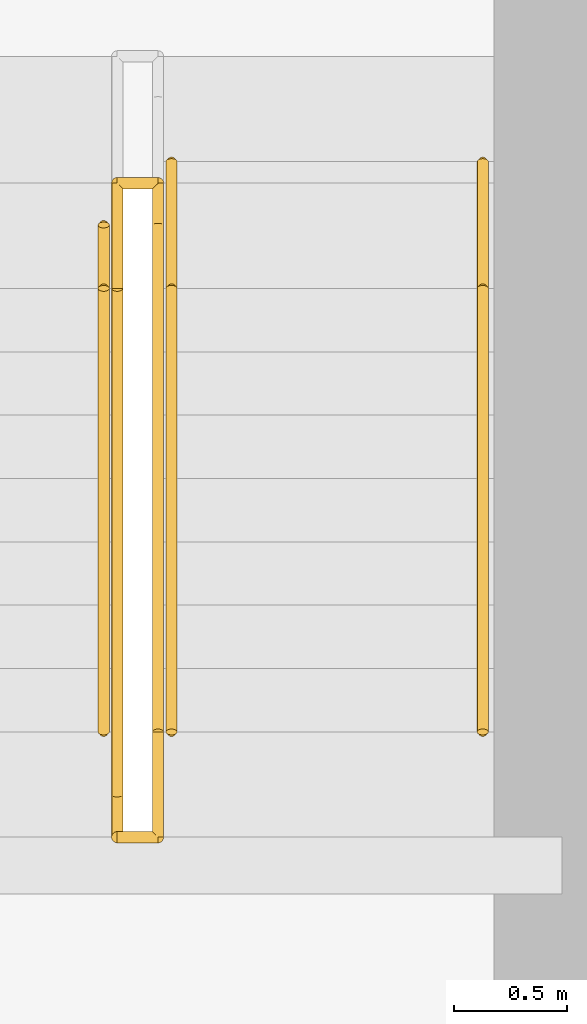
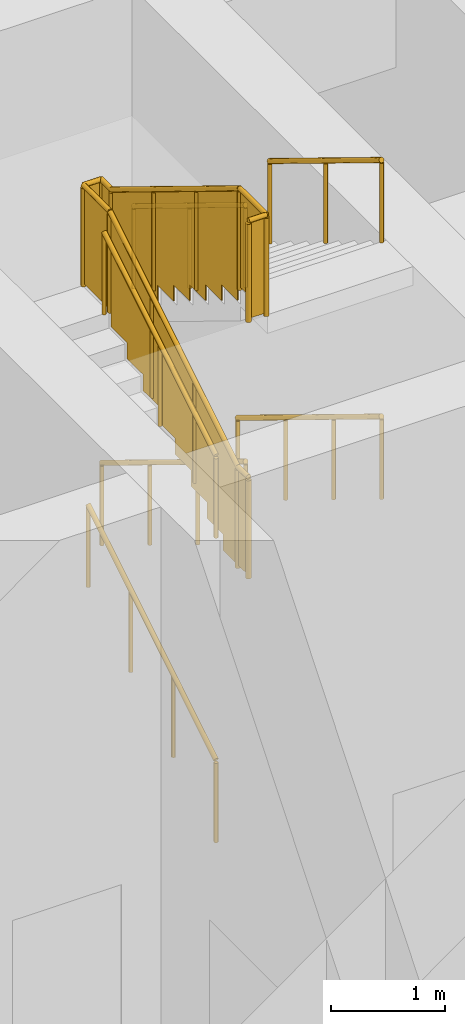
# One storey, part 17 of 17: 8 railings.
"""IFC4 building model written with IfcOpenShell, lengths in metres."""

from ifc_helpers import new_model, si_unit, direction, frame, origin, origin_2d, place, context, subcontext, project, spatial, polyline, circle, outline, extrude, material, type_object, element, save


model = new_model("IFC4")

# Units and contexts
model_context = context("Model", 3, precision=1e-05, world=origin(), true_north=direction((0.0, 1.0)))
body_context = subcontext(model_context, "Body", "Model", "MODEL_VIEW")
ifc_project = project(units=[si_unit("LENGTHUNIT", "METRE"), si_unit("AREAUNIT", "SQUARE_METRE"), si_unit("VOLUMEUNIT", "CUBIC_METRE"), si_unit("PLANEANGLEUNIT", "RADIAN"), si_unit("MASSUNIT", "GRAM", prefix="KILO")], contexts=[model_context])

# Site, building, storey
site_placement = place(None, origin())
site = spatial("IfcSite", under=ifc_project, at=site_placement, CompositionType="ELEMENT")
building_placement = place(site_placement, origin())
building = spatial("IfcBuilding", under=site, at=building_placement, Name="Kilele Tower Hotel", CompositionType="ELEMENT")
storey_placement = place(building_placement, frame((0.0, 0.0, 211.39990234375)))
storey = spatial("IfcBuildingStorey", under=building, at=storey_placement, Name="L55", CompositionType="ELEMENT", Elevation=211.39990234375)

# Railings
ifc_material_1 = material(Name="Steel handrail", Category="steel")
railing_type_1 = type_object("IfcRailingType", Name="Handrail 900", PredefinedType="HANDRAIL", material=ifc_material_1)
railing_1_placement = place(storey_placement, frame((33.97509765625, 22.239990234375, 0.171630859375)))
element("IfcRailing", 1, at=railing_1_placement, inside=storey, type_object=railing_type_1, Name="Handrail ST2 flight 1", PredefinedType="HANDRAIL", context=body_context, shape_type="SweptSolid", body=[
    extrude(circle(Radius=0.02490234375, at=origin_2d()), frame((0.0, 0.0, 0.875), z_axis=(0.0, 0.852865665234, 0.522130402356), x_axis=(-1.0, 0.0, 0.0)), (0.0, 0.0, 1.0), 2.62646484375),
    extrude(circle(Radius=0.02001953125, at=origin_2d()), origin(), (0.0, 0.0, 1.0), 0.849853515625),
    extrude(circle(Radius=0.02001953125, at=origin_2d()), frame((0.0, 0.74658203125, 0.45703125)), (0.0, 0.0, 1.0), 0.849853515625),
    extrude(circle(Radius=0.02001953125, at=origin_2d()), frame((0.0, 1.493408203125, 0.914306640625)), (0.0, 0.0, 1.0), 0.849853515625),
    extrude(circle(Radius=0.02001953125, at=origin_2d()), frame((0.0, 2.239990234375, 1.371337890625)), (0.0, 0.0, 1.0), 0.849853515625),
])
for number, where, name in (
    (2, (34.27490234375, 24.760009765625, 1.71435546875), "Handrail ST2 flight 2"),
    (3, (35.64990234375, 24.760009765625, 1.71435546875), "Handrail ST2 flight 2"),
):
    element("IfcRailing", number, at=place(storey_placement, frame(where)), inside=storey, type_object=railing_type_1, Name=name, PredefinedType="HANDRAIL", context=body_context, shape_type="SweptSolid", body=[
        extrude(circle(Radius=0.02490234375, at=origin_2d()), frame((0.0, 0.0, 0.875), z_axis=(0.0, -0.852836285881, 0.522178388565), x_axis=(1.0, 0.0, 0.0)), (0.0, 0.0, 1.0), 2.954833984375),
        extrude(circle(Radius=0.02001953125, at=origin_2d()), origin(), (0.0, 0.0, 1.0), 0.849853515625),
        extrude(circle(Radius=0.02001953125, at=origin_2d()), frame((0.0, -0.840087890625, 0.514404296875)), (0.0, 0.0, 1.0), 0.849853515625),
        extrude(circle(Radius=0.02001953125, at=origin_2d()), frame((0.0, -1.679931640625, 1.028564453125)), (0.0, 0.0, 1.0), 0.849853515625),
        extrude(circle(Radius=0.02001953125, at=origin_2d()), frame((0.0, -2.52001953125, 1.54296875)), (0.0, 0.0, 1.0), 0.849853515625),
    ])
railing_2_placement = place(storey_placement, frame((33.97509765625, 22.239990234375, 3.4287109375)))
element("IfcRailing", 4, at=railing_2_placement, inside=storey, type_object=railing_type_1, Name="Handrail ST2 flight 3", PredefinedType="HANDRAIL", context=body_context, shape_type="SweptSolid", body=[
    extrude(circle(Radius=0.02490234375, at=origin_2d()), frame((0.0, 0.0, 0.875), z_axis=(0.0, 0.852856131449, 0.522145974847), x_axis=(-1.0, 0.0, 0.0)), (0.0, 0.0, 1.0), 2.298095703125),
    extrude(circle(Radius=0.02001953125, at=origin_2d()), origin(), (0.0, 0.0, 1.0), 0.849853515625),
    extrude(circle(Radius=0.02001953125, at=origin_2d()), frame((0.0, 0.97998046875, 0.60009765625)), (0.0, 0.0, 1.0), 0.849853515625),
    extrude(circle(Radius=0.02001953125, at=origin_2d()), frame((0.0, 1.9599609375, 1.199951171875)), (0.0, 0.0, 1.0), 0.849853515625),
])
for number, where, name in (
    (5, (34.27490234375, 24.199951171875, 4.800048828125), "Handrail ST2 flight 4"),
    (6, (35.64990234375, 24.199951171875, 4.800048828125), "Handrail ST2 flight 4"),
):
    element("IfcRailing", number, at=place(storey_placement, frame(where)), inside=storey, type_object=railing_type_1, Name=name, PredefinedType="HANDRAIL", context=body_context, shape_type="SweptSolid", body=[
        extrude(circle(Radius=0.02490234375, at=origin_2d()), frame((0.0, 0.0, 0.875), z_axis=(0.0, -0.852856131449, 0.522145974847), x_axis=(1.0, 0.0, 0.0)), (0.0, 0.0, 1.0), 2.298095703125),
        extrude(circle(Radius=0.02001953125, at=origin_2d()), origin(), (0.0, 0.0, 1.0), 0.849853515625),
        extrude(circle(Radius=0.02001953125, at=origin_2d()), frame((0.0, -0.97998046875, 0.60009765625)), (0.0, 0.0, 1.0), 0.849853515625),
        extrude(circle(Radius=0.02001953125, at=origin_2d()), frame((0.0, -1.9599609375, 1.199951171875)), (0.0, 0.0, 1.0), 0.849853515625),
    ])
ifc_material_2 = material(Name="Steel guard", Category="steel")
railing_type_2 = type_object("IfcRailingType", Name="Stair guard 1100", PredefinedType="GUARDRAIL", material=ifc_material_2)
railing_3_placement = place(storey_placement, frame((34.034912109375, 21.77490234375, 3.257080078125)))
element("IfcRailing", 7, at=railing_3_placement, inside=storey, type_object=railing_type_2, Name="Stair well guard ST2 flight 3", PredefinedType="GUARDRAIL", context=body_context, shape_type="SweptSolid", body=[
    extrude(circle(Radius=0.02490234375, at=origin_2d()), frame((0.0, 0.0, 1.0751953125), z_axis=(0.0, 1.0, 0.0), x_axis=(-1.0, 0.0, 0.0)), (0.0, 0.0, 1.0), 0.18505859375),
    extrude(circle(Radius=0.02490234375, at=origin_2d()), frame((0.0, 0.18505859375, 1.0751953125), z_axis=(0.0, 0.852824270871, 0.522198011308), x_axis=(-1.0, 0.0, 0.0)), (0.0, 0.0, 1.0), 2.62646484375),
    extrude(circle(Radius=0.02490234375, at=origin_2d()), frame((0.0, 2.425048828125, 2.44677734375), z_axis=(0.0, 1.0, 0.0), x_axis=(-1.0, 0.0, 0.0)), (0.0, 0.0, 1.0), 0.465087890625),
    extrude(circle(Radius=0.02490234375, at=origin_2d()), frame((0.0, 2.89013671875, 2.44677734375), z_axis=(1.0, 0.0, 0.0), x_axis=(0.0, 1.0, 0.0)), (0.0, 0.0, 1.0), 0.18017578125),
    extrude(circle(Radius=0.02490234375, at=origin_2d()), origin(), (0.0, 0.0, 1.0), 1.050048828125),
    extrude(circle(Radius=0.02490234375, at=origin_2d()), frame((0.0, 0.18505859375, 0.0)), (0.0, 0.0, 1.0), 1.050048828125),
    extrude(circle(Radius=0.02490234375, at=origin_2d()), frame((0.0, 0.931640625, 0.457275390625)), (0.0, 0.0, 1.0), 1.050048828125),
    extrude(circle(Radius=0.02490234375, at=origin_2d()), frame((0.0, 1.678466796875, 0.914306640625)), (0.0, 0.0, 1.0), 1.050048828125),
    extrude(circle(Radius=0.02490234375, at=origin_2d()), frame((0.0, 2.425048828125, 1.37158203125)), (0.0, 0.0, 1.0), 1.050048828125),
    extrude(circle(Radius=0.02490234375, at=origin_2d()), frame((0.0, 2.89013671875, 1.37158203125)), (0.0, 0.0, 1.0), 1.050048828125),
    extrude(circle(Radius=0.02490234375, at=origin_2d()), frame((0.18017578125, 2.89013671875, 1.37158203125)), (0.0, 0.0, 1.0), 1.050048828125),
    extrude(outline(polyline([(0.0, 0.030029296875), (0.172607421875, 0.030029296875), (0.172607421875, 1.050048828125), (0.0, 1.050048828125), (0.0, 0.030029296875)])), frame((-0.005859375, 0.0, 0.0), z_axis=(1.0, 0.0, 0.0), x_axis=(0.0, 1.0, 0.0)), (0.0, 0.0, 1.0), 0.011962890625),
    extrude(outline(polyline([(0.012451171875, 0.030029296875), (0.25, 0.030029296875), (0.25, 0.201416015625), (0.530029296875, 0.201416015625), (0.530029296875, 0.373046875), (0.81005859375, 0.373046875), (0.81005859375, 0.54443359375), (1.08984375, 0.54443359375), (1.08984375, 0.7158203125), (1.369873046875, 0.7158203125), (1.369873046875, 0.88720703125), (1.64990234375, 0.88720703125), (1.64990234375, 1.05859375), (1.929931640625, 1.05859375), (1.929931640625, 1.230224609375), (2.2099609375, 1.230224609375), (2.2099609375, 1.401611328125), (2.2275390625, 1.401611328125), (2.2275390625, 2.40966796875), (0.012451171875, 1.053466796875), (0.012451171875, 0.030029296875)])), frame((-0.005859375, 0.18505859375, 0.0), z_axis=(1.0, 0.0, 0.0), x_axis=(0.0, 1.0, 0.0)), (0.0, 0.0, 1.0), 0.011962890625),
    extrude(outline(polyline([(0.012451171875, 0.030029296875), (0.45263671875, 0.030029296875), (0.45263671875, 1.050048828125), (0.012451171875, 1.050048828125), (0.012451171875, 0.030029296875)])), frame((-0.005859375, 2.425048828125, 1.37158203125), z_axis=(1.0, 0.0, 0.0), x_axis=(0.0, 1.0, 0.0)), (0.0, 0.0, 1.0), 0.011962890625),
    extrude(outline(polyline([(0.012451171875, 0.030029296875), (0.18017578125, 0.030029296875), (0.18017578125, 1.050048828125), (0.012451171875, 1.050048828125), (0.012451171875, 0.030029296875)])), frame((0.0, 2.89599609375, 1.37158203125), z_axis=(0.0, -1.0, 0.0), x_axis=(1.0, 0.0, 0.0)), (0.0, 0.0, 1.0), 0.011962890625),
])
railing_4_placement = place(storey_placement, frame((34.215087890625, 24.6650390625, 4.628662109375)))
element("IfcRailing", 8, at=railing_4_placement, inside=storey, type_object=railing_type_2, Name="Stair well guard ST2 flight 4", PredefinedType="GUARDRAIL", context=body_context, shape_type="SweptSolid", body=[
    extrude(circle(Radius=0.02490234375, at=origin_2d()), frame((0.0, 0.0, 1.0751953125), z_axis=(0.0, -1.0, 0.0), x_axis=(1.0, 0.0, 0.0)), (0.0, 0.0, 1.0), 0.18505859375),
    extrude(circle(Radius=0.02490234375, at=origin_2d()), frame((0.0, -0.18505859375, 1.0751953125), z_axis=(0.0, -0.852865665234, 0.522130402356), x_axis=(1.0, 0.0, 0.0)), (0.0, 0.0, 1.0), 2.62646484375),
    extrude(circle(Radius=0.02490234375, at=origin_2d()), frame((0.0, -2.425048828125, 2.4462890625), z_axis=(0.0, -1.0, 0.0), x_axis=(1.0, 0.0, 0.0)), (0.0, 0.0, 1.0), 0.465087890625),
    extrude(circle(Radius=0.02490234375, at=origin_2d()), frame((0.0, -2.89013671875, 2.4462890625), z_axis=(-1.0, 0.0, 0.0), x_axis=(0.0, -1.0, 0.0)), (0.0, 0.0, 1.0), 0.18017578125),
    extrude(circle(Radius=0.02490234375, at=origin_2d()), origin(), (0.0, 0.0, 1.0), 1.050048828125),
    extrude(circle(Radius=0.02490234375, at=origin_2d()), frame((0.0, -0.18505859375, 0.0)), (0.0, 0.0, 1.0), 1.050048828125),
    extrude(circle(Radius=0.02490234375, at=origin_2d()), frame((0.0, -0.931640625, 0.45703125)), (0.0, 0.0, 1.0), 1.050048828125),
    extrude(circle(Radius=0.02490234375, at=origin_2d()), frame((0.0, -1.678466796875, 0.914306640625)), (0.0, 0.0, 1.0), 1.050048828125),
    extrude(circle(Radius=0.02490234375, at=origin_2d()), frame((0.0, -2.425048828125, 1.371337890625)), (0.0, 0.0, 1.0), 1.050048828125),
    extrude(circle(Radius=0.02490234375, at=origin_2d()), frame((0.0, -2.89013671875, 1.371337890625)), (0.0, 0.0, 1.0), 1.050048828125),
    extrude(circle(Radius=0.02490234375, at=origin_2d()), frame((-0.18017578125, -2.89013671875, 1.371337890625)), (0.0, 0.0, 1.0), 1.050048828125),
    extrude(outline(polyline([(0.0, 0.030029296875), (0.172607421875, 0.030029296875), (0.172607421875, 1.050048828125), (0.0, 1.050048828125), (0.0, 0.030029296875)])), frame((0.005859375, 0.0, 0.0), z_axis=(-1.0, 0.0, 0.0), x_axis=(0.0, -1.0, 0.0)), (0.0, 0.0, 1.0), 0.011962890625),
    extrude(outline(polyline([(0.012451171875, 0.030029296875), (0.25, 0.030029296875), (0.25, 0.201416015625), (0.530029296875, 0.201416015625), (0.530029296875, 0.372802734375), (0.81005859375, 0.372802734375), (0.81005859375, 0.544189453125), (1.08984375, 0.544189453125), (1.08984375, 0.7158203125), (1.369873046875, 0.7158203125), (1.369873046875, 0.88720703125), (1.64990234375, 0.88720703125), (1.64990234375, 1.05859375), (1.929931640625, 1.05859375), (1.929931640625, 1.22998046875), (2.2099609375, 1.22998046875), (2.2099609375, 1.4013671875), (2.2275390625, 1.4013671875), (2.2275390625, 2.409423828125), (0.012451171875, 1.053466796875), (0.012451171875, 0.030029296875)])), frame((0.005859375, -0.18505859375, 0.0), z_axis=(-1.0, 0.0, 0.0), x_axis=(0.0, -1.0, 0.0)), (0.0, 0.0, 1.0), 0.011962890625),
    extrude(outline(polyline([(0.012451171875, 0.030029296875), (0.45263671875, 0.030029296875), (0.45263671875, 1.050048828125), (0.012451171875, 1.050048828125), (0.012451171875, 0.030029296875)])), frame((0.005859375, -2.425048828125, 1.371337890625), z_axis=(-1.0, 0.0, 0.0), x_axis=(0.0, -1.0, 0.0)), (0.0, 0.0, 1.0), 0.011962890625),
    extrude(outline(polyline([(0.012451171875, 0.030029296875), (0.18017578125, 0.030029296875), (0.18017578125, 1.050048828125), (0.012451171875, 1.050048828125), (0.012451171875, 0.030029296875)])), frame((0.0, -2.89599609375, 1.371337890625), z_axis=(0.0, 1.0, 0.0), x_axis=(-1.0, 0.0, 0.0)), (0.0, 0.0, 1.0), 0.011962890625),
])

save(model, "model.ifc")
